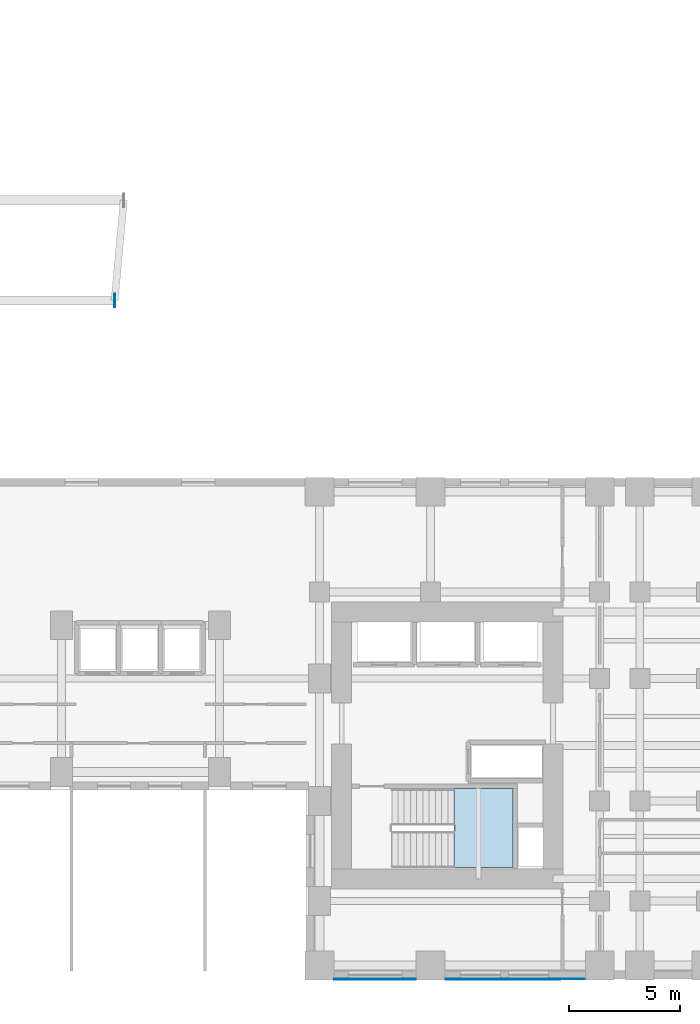
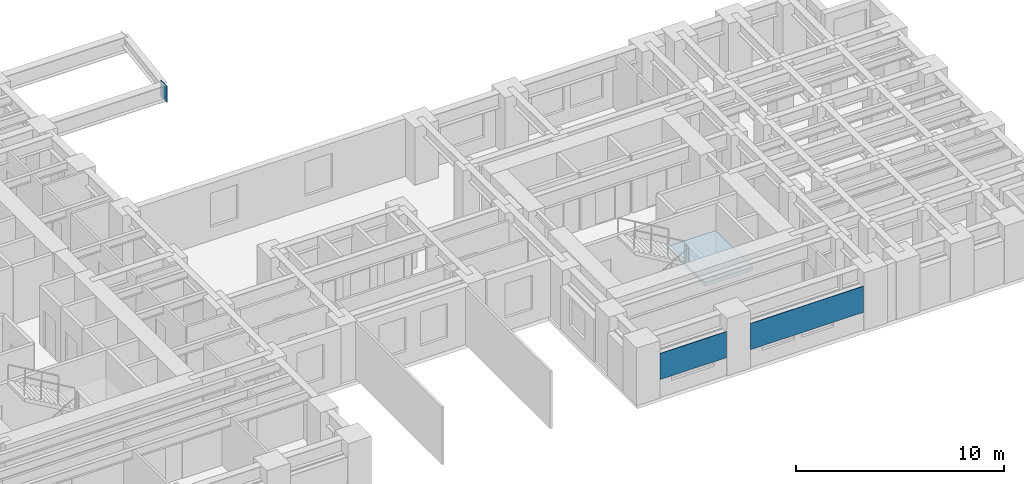
# One storey, part 5 of 14: 3 plates, 1 slab, 1 element without a shape of its own.
"""IFC4 building model written with IfcOpenShell, lengths in metres."""

from ifc_helpers import new_model, si_unit, direction, frame, origin, origin_2d, place, context, subcontext, project, spatial, polyline, rectangle, outline, extrude, source, transform, mapped, material, layer, layer_set, type_object, element, aggregate, save


model = new_model("IFC4")

# Units and contexts
model_context = context("Model", 3, precision=1e-05, world=origin(), true_north=direction((0.0, 1.0)))
body_context = subcontext(model_context, "Body", "Model", "MODEL_VIEW")
ifc_project = project(units=[si_unit("LENGTHUNIT", "METRE"), si_unit("AREAUNIT", "SQUARE_METRE"), si_unit("VOLUMEUNIT", "CUBIC_METRE"), si_unit("PLANEANGLEUNIT", "RADIAN"), si_unit("MASSUNIT", "GRAM", prefix="KILO")], contexts=[model_context])

# Site, building, storey
site_placement = place(None, origin())
site = spatial("IfcSite", under=ifc_project, at=site_placement, CompositionType="ELEMENT")
building_placement = place(site_placement, origin())
building = spatial("IfcBuilding", under=site, at=building_placement, Name="Kharzan Plaza Tower", CompositionType="ELEMENT")
storey_placement = place(building_placement, frame((0.0, 0.0, 36.89990234375)))
storey = spatial("IfcBuildingStorey", under=building, at=storey_placement, Name="L09", CompositionType="ELEMENT", Elevation=36.89990234375)

# Stair, slab
ifc_material_1 = material(Name="Concrete C40/50", Category="concrete")
stair_type = type_object("IfcStairType", Name="STR-ST-3", PredefinedType="HALF_TURN_STAIR", material=ifc_material_1)
stair_placement = place(storey_placement, origin())
stair = element("IfcStair", 1, at=stair_placement, inside=storey, type_object=stair_type, Name="L09 Protected Exit Stair ST-3", PredefinedType="HALF_TURN_STAIR")
ifc_layer_1 = layer(ifc_material_1, 0.219970703125)
ifc_layer_set_1 = layer_set([ifc_layer_1], Name="Concrete C40/50")
slab_type = type_object("IfcSlabType", Name="SL-LANDING-220", PredefinedType="LANDING", material=ifc_layer_set_1)
slab_placement = place(storey_placement, frame((0.0, 0.0, 1.60009765625)))
slab = element("IfcSlab", 2, at=slab_placement, type_object=slab_type, Name="ST-3 landing 1", PredefinedType="LANDING", context=body_context, shape_type="SweptSolid", body=[
    extrude(outline(polyline([(41.050048828125, 5.0), (43.699951171875, 5.0), (43.699951171875, 8.550048828125), (41.050048828125, 8.550048828125), (41.050048828125, 5.0)])), origin(), (0.0, 0.0, 1.0), 0.199951171875),
])
aggregate(stair, [slab])

# Plates
ifc_material_2 = material(Name="Steel S460", Category="steel")
ifc_layer_2 = layer(ifc_material_2, 0.0419921875)
ifc_layer_set_2 = layer_set([ifc_layer_2], Name="Steel S460")
plate_type_1 = type_object("IfcPlateType", Name="PLT-ZTN1", PredefinedType="USERDEFINED", material=ifc_layer_set_2)
shared_shape_1 = source(origin(), body_context, "Body", "SweptSolid", [
    extrude(rectangle(XDim=0.60009765625, YDim=0.0419921875, at=origin_2d()), origin(), (0.0, 0.0, 1.0), 0.949951171875),
])
plate_1_placement = place(storey_placement, frame((25.7900390625, 30.5, 2.4365234375), z_axis=(0.0, 0.0, 1.0), x_axis=(0.0, 1.0, 0.0)))
element("IfcPlate", 3, at=plate_1_placement, inside=storey, type_object=plate_type_1, Name="L09 Sky-Terrace Cantilever Tip Plate ZTN1", ObjectType="FLANGE_PLATE", PredefinedType="USERDEFINED", context=body_context, shape_type="MappedRepresentation", body=[
    mapped(shared_shape_1, transform((0.0, 0.0, 0.0), x_axis=(1.0, 0.0, 0.0), y_axis=(0.0, 1.0, 0.0), z_axis=(0.0, 0.0, 1.0))),
])
ifc_material_3 = material(Name="Perforated Bronze-Anodized Aluminium", Category="aluminium")
ifc_layer_3 = layer(ifc_material_3, 0.030029296875)
ifc_layer_set_3 = layer_set([ifc_layer_3], Name="Perforated Bronze-Anodized Aluminium")
plate_type_2 = type_object("IfcPlateType", Name="PLT-MASH-SCREEN", PredefinedType="SHEET", material=ifc_layer_set_3)
shared_shape_2 = source(origin(), body_context, "Body", "SweptSolid", [
    extrude(rectangle(XDim=3.6640625, YDim=0.030029296875, at=origin_2d()), origin(), (0.0, 0.0, 1.0), 1.530029296875),
])
plate_2_placement = place(storey_placement, frame((37.5, -0.012939453125, 1.06494140625), z_axis=(0.0, 0.0, 1.0), x_axis=(1.0, 0.0, 0.0)))
element("IfcPlate", 4, at=plate_2_placement, inside=storey, type_object=plate_type_2, Name="L09 Perforated Mashrabiya Solar Screen", PredefinedType="SHEET", context=body_context, shape_type="MappedRepresentation", body=[
    mapped(shared_shape_2, transform((0.0, 0.0, 0.0), x_axis=(1.0, 0.0, 0.0), y_axis=(0.0, 1.0, 0.0), z_axis=(0.0, 0.0, 1.0))),
])
shared_shape_3 = source(origin(), body_context, "Body", "SweptSolid", [
    extrude(rectangle(XDim=6.263916015625, YDim=0.030029296875, at=origin_2d()), origin(), (0.0, 0.0, 1.0), 1.530029296875),
])
plate_3_placement = place(storey_placement, frame((43.800048828125, -0.012939453125, 1.06494140625), z_axis=(0.0, 0.0, 1.0), x_axis=(1.0, 0.0, 0.0)))
element("IfcPlate", 5, at=plate_3_placement, inside=storey, type_object=plate_type_2, Name="L09 Perforated Mashrabiya Solar Screen", PredefinedType="SHEET", context=body_context, shape_type="MappedRepresentation", body=[
    mapped(shared_shape_3, transform((0.0, 0.0, 0.0), x_axis=(1.0, 0.0, 0.0), y_axis=(0.0, 1.0, 0.0), z_axis=(0.0, 0.0, 1.0))),
])

save(model, "model.ifc")
